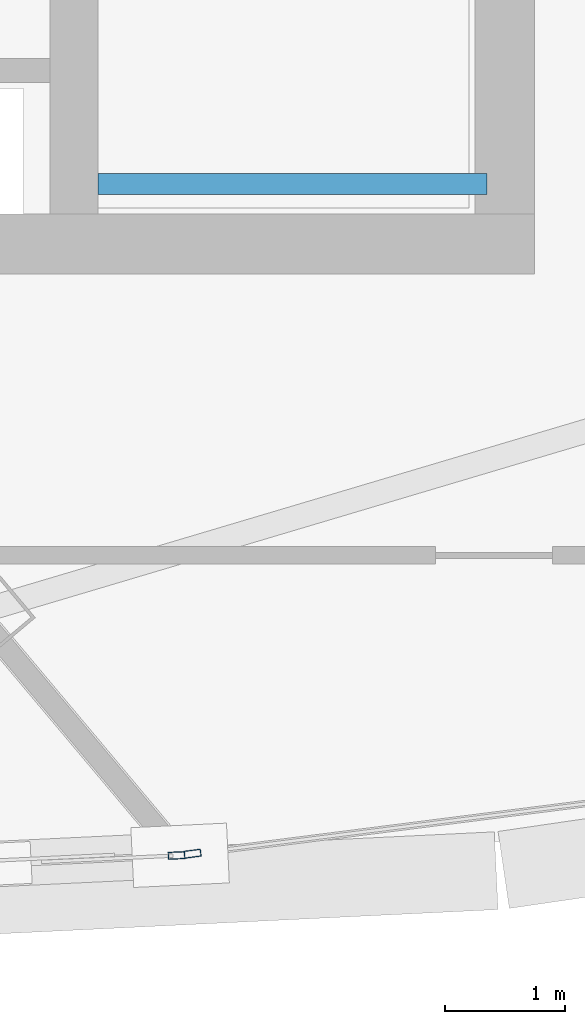
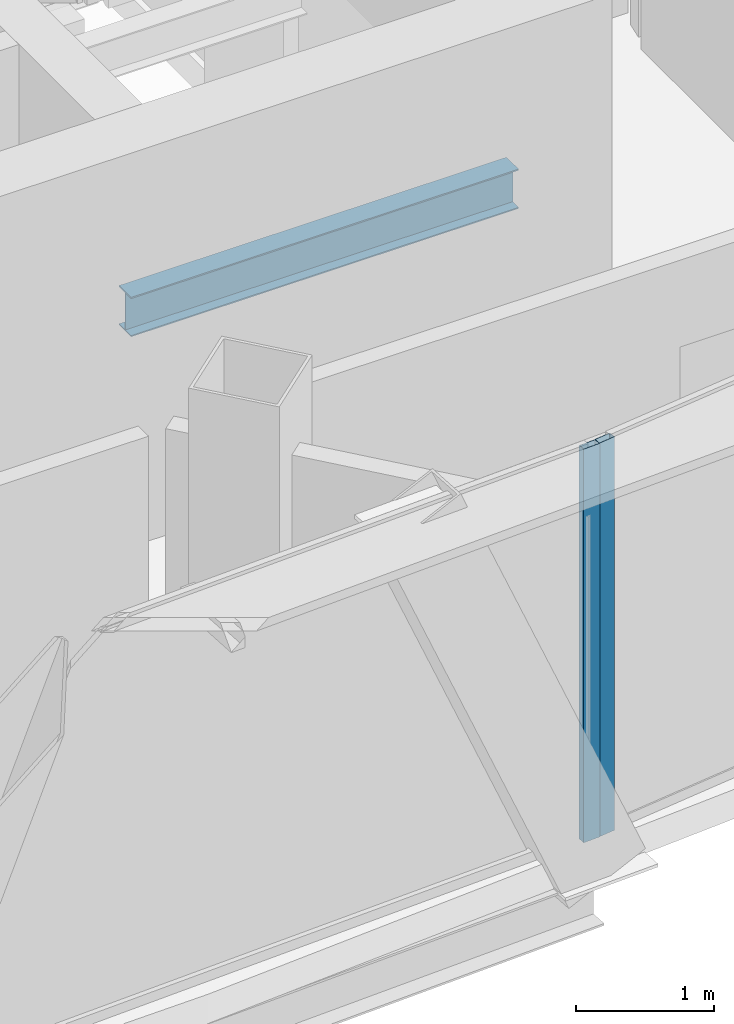
# One storey, part 11 of 30: 2 members, 1 beam, 2 elements without a shape of their own.
"""IFC4 building model written with IfcOpenShell, lengths in metres."""

from ifc_helpers import new_model, si_unit, direction, frame, origin, origin_2d, place, context, subcontext, project, spatial, hollow_rectangle, i_section, extrude, source, transform, mapped, material, layer, layer_set, material_profile, profile_set, type_object, element, aggregate, save


model = new_model("IFC4")

# Units and contexts
model_context = context("Model", 3, precision=1e-05, world=origin(), true_north=direction((0.0, 1.0)))
body_context = subcontext(model_context, "Body", "Model", "MODEL_VIEW")
ifc_project = project(units=[si_unit("LENGTHUNIT", "METRE"), si_unit("AREAUNIT", "SQUARE_METRE"), si_unit("VOLUMEUNIT", "CUBIC_METRE"), si_unit("PLANEANGLEUNIT", "RADIAN"), si_unit("MASSUNIT", "GRAM", prefix="KILO"), si_unit("THERMODYNAMICTEMPERATUREUNIT", "KELVIN"), si_unit("POWERUNIT", "WATT")], contexts=[model_context])

# Site, building, storey
site_placement = place(None, origin())
site = spatial("IfcSite", under=ifc_project, at=site_placement, CompositionType="ELEMENT")
building_placement = place(site_placement, origin())
building = spatial("IfcBuilding", under=site, at=building_placement, Name="Yunzhuo Pagoda Commons", CompositionType="ELEMENT")
storey_placement = place(building_placement, frame((0.0, 0.0, 351.760009765625)))
storey = spatial("IfcBuildingStorey", under=building, at=storey_placement, Name="L88", CompositionType="ELEMENT", Elevation=351.760009765625)

# Beam
ifc_material_1 = material(Name="Structural steel Q355B", Category="steel")
ifc_material_profile_1 = material_profile(ifc_material_1, i_section(OverallWidth=0.175048828125, OverallDepth=0.35009765625, WebThickness=0.007080078125, FlangeThickness=0.010986328125, at=origin_2d()), Name="Structural steel Q355B")
ifc_profile_set_1 = profile_set([ifc_material_profile_1], Name="Structural steel Q355B")
beam_type = type_object("IfcBeamType", Name="B-JS2 Joist HN 350x175x7x11", PredefinedType="JOIST", material=ifc_profile_set_1)
shared_shape_1 = source(origin(), body_context, "Body", "SweptSolid", [
    extrude(i_section(OverallWidth=0.175048828125, OverallDepth=0.35009765625, WebThickness=0.007080078125, FlangeThickness=0.010986328125, at=origin_2d()), origin(), (0.0, 0.0, 1.0), 3.25),
])
beam_placement = place(storey_placement, frame((56.800048828125, 28.0, 1.5), z_axis=(1.0, 0.0, 0.0), x_axis=(0.0, 1.0, 0.0)))
element("IfcBeam", 1, at=beam_placement, inside=storey, type_object=beam_type, Name="L88 ST2 landing support beam 94A", PredefinedType="JOIST", context=body_context, shape_type="MappedRepresentation", body=[
    mapped(shared_shape_1, transform((0.0, 0.0, 0.0), scale=1.0)),
])

# Curtain wall, member
ifc_material_2 = material(Name="Anodized aluminium 6063-T6", Category="aluminium")
ifc_layer = layer(ifc_material_2, 0.139892578125)
ifc_layer_set = layer_set([ifc_layer], Name="Anodized aluminium 6063-T6")
curtain_wall_type = type_object("IfcCurtainWallType", Name="CW-HI High-Zone Ribbon Curtain Wall", PredefinedType="NOTDEFINED", material=ifc_layer_set)
curtain_wall_1_placement = place(storey_placement, origin())
curtain_wall_1 = element("IfcCurtainWall", 2, at=curtain_wall_1_placement, inside=storey, type_object=curtain_wall_type, Name="L88 curtain wall CW-L88-F1B4", PredefinedType="NOTDEFINED")
ifc_material_profile_2 = material_profile(ifc_material_2, hollow_rectangle(XDim=0.06005859375, YDim=0.139892578125, WallThickness=0.00341796875, at=origin_2d()), Name="Anodized aluminium 6063-T6")
ifc_profile_set_2 = profile_set([ifc_material_profile_2], Name="Anodized aluminium 6063-T6")
member_type = type_object("IfcMemberType", Name="CW-HI-M Mullion RHS 140x60x3.5", PredefinedType="MULLION", material=ifc_profile_set_2)
shared_shape_2 = source(origin(), body_context, "Body", "SweptSolid", [
    extrude(hollow_rectangle(XDim=0.06005859375, YDim=0.139892578125, WallThickness=0.00341796875, at=origin_2d()), origin(), (0.0, 0.0, 1.0), 3.489990234375),
])
member_1_placement = place(storey_placement, frame((57.457763671875, 22.391845703125, 0.0), z_axis=(0.0, 0.0, 1.0), x_axis=(-0.047859147719, 0.99885409444, 0.0)))
member_1 = element("IfcMember", 3, at=member_1_placement, type_object=member_type, Name="CW mullion 2", PredefinedType="MULLION", context=body_context, shape_type="MappedRepresentation", body=[
    mapped(shared_shape_2, transform((0.0, 0.0, 0.0), scale=1.0)),
])
aggregate(curtain_wall_1, [member_1])

curtain_wall_2_placement = place(storey_placement, origin())
curtain_wall_2 = element("IfcCurtainWall", 4, at=curtain_wall_2_placement, inside=storey, type_object=curtain_wall_type, Name="L88 curtain wall CW-L88-F1B5", PredefinedType="NOTDEFINED")
member_2_placement = place(storey_placement, frame((57.591552734375, 22.406494140625, 0.0), z_axis=(0.0, 0.0, 1.0), x_axis=(-0.126570661327, 0.991957593696, 0.0)))
member_2 = element("IfcMember", 5, at=member_2_placement, type_object=member_type, Name="CW mullion 1", PredefinedType="MULLION", context=body_context, shape_type="MappedRepresentation", body=[
    mapped(shared_shape_2, transform((0.0, 0.0, 0.0), scale=1.0)),
])
aggregate(curtain_wall_2, [member_2])

save(model, "model.ifc")
